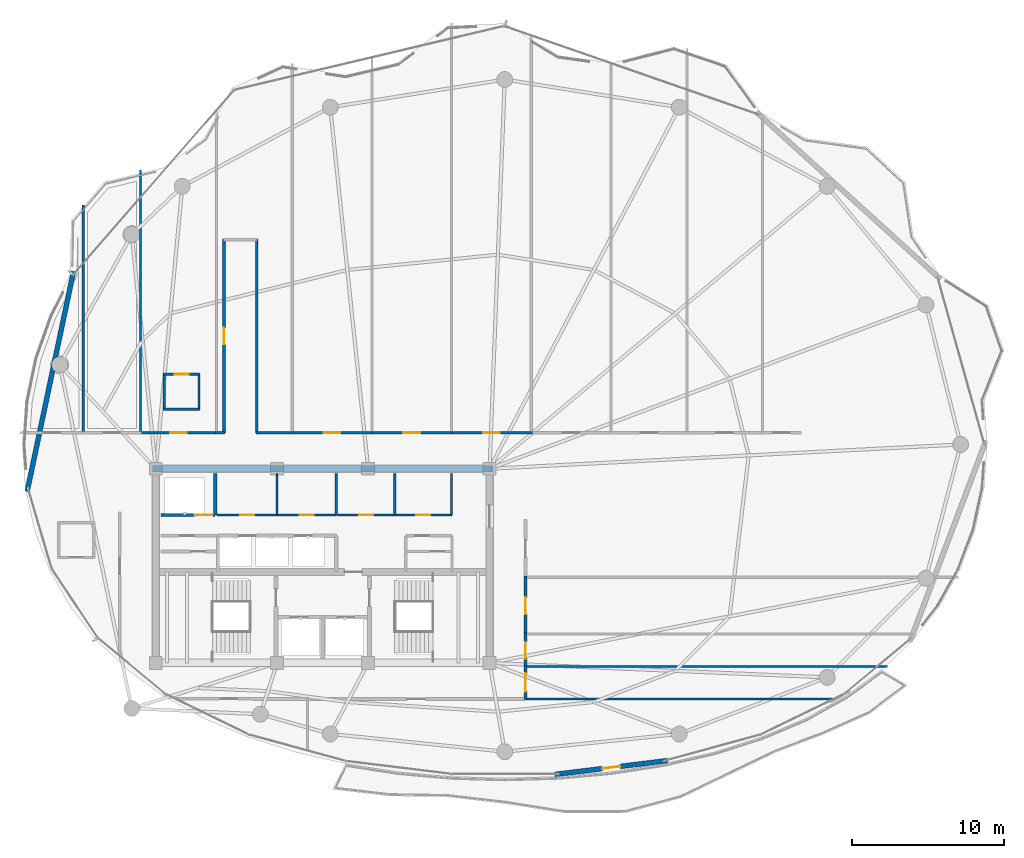
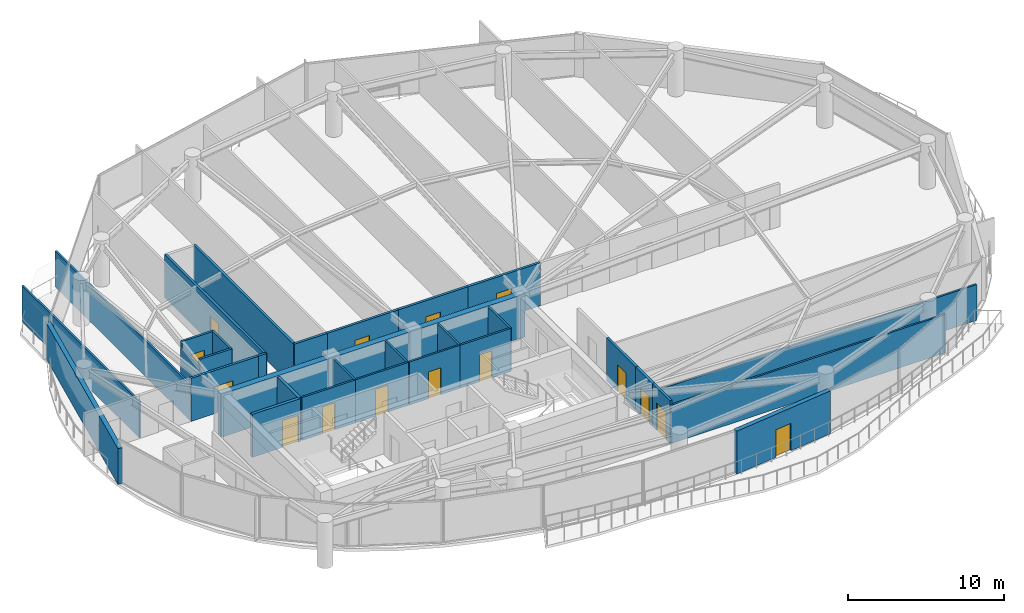
# One storey, part 24 of 29: 32 walls, 15 doors, 15 openings.
"""IFC4 building model written with IfcOpenShell, lengths in metres."""

from ifc_helpers import new_model, si_unit, direction, frame, frame_2d, origin, place, context, subcontext, project, spatial, rectangle, extrude, material, layer, layer_set, type_object, element, fill, save


model = new_model("IFC4")

# Units and contexts
model_context = context("Model", 3, precision=1e-05, world=origin(), true_north=direction((0.0, 1.0)))
body_context = subcontext(model_context, "Body", "Model", "MODEL_VIEW")
ifc_project = project(units=[si_unit("LENGTHUNIT", "METRE"), si_unit("AREAUNIT", "SQUARE_METRE"), si_unit("VOLUMEUNIT", "CUBIC_METRE"), si_unit("PLANEANGLEUNIT", "RADIAN"), si_unit("MASSUNIT", "GRAM", prefix="KILO")], contexts=[model_context])

# Site, building, storey
site_placement = place(None, origin())
site = spatial("IfcSite", under=ifc_project, at=site_placement, CompositionType="ELEMENT")
building_placement = place(site_placement, origin())
building = spatial("IfcBuilding", under=site, at=building_placement, Name="Kazevale Care Tower and Concert Hall", CompositionType="ELEMENT")
storey_placement = place(building_placement, frame((0.0, 0.0, 199.199951171875)))
storey = spatial("IfcBuildingStorey", under=building, at=storey_placement, Name="L52", CompositionType="ELEMENT", Elevation=199.199951171875)

# Wall, opening, door
ifc_material_1 = material(Name="Acoustic Gypsum on Steel Stud", Category="steel")
ifc_layer_1 = layer(ifc_material_1, 0.139892578125)
ifc_layer_set_1 = layer_set([ifc_layer_1], Name="Acoustic Gypsum on Steel Stud")
wall_type_1 = type_object("IfcWallType", Name="Acoustic Care & Suite Partition 140", PredefinedType="PARTITIONING", material=ifc_layer_set_1)
wall_1_placement = place(storey_placement, frame((26.050048828125, 33.35009765625, 0.0), z_axis=(0.0, 0.0, 1.0), x_axis=(1.0, 0.0, 0.0)))
wall_1 = element("IfcWall", 1, at=wall_1_placement, inside=storey, type_object=wall_type_1, Name="wall:L52:c_rpl1_s", PredefinedType="PARTITIONING", context=body_context, shape_type="SweptSolid", body=[
    extrude(rectangle(XDim=3.949951171875, YDim=0.139892578125, at=frame_2d((1.97509765625, 0.0))), origin(), (0.0, 0.0, 1.0), 3.360107421875),
])
opening_1_placement = place(wall_1_placement, frame((1.514892578125, 0.0, 0.0)))
opening_1 = element("IfcOpeningElement", 2, at=opening_1_placement, cuts=wall_1, Name="Opening ID-900", PredefinedType="OPENING", context=body_context, shape_type="SweptSolid", body=[
    extrude(rectangle(XDim=0.919921875, YDim=2.10009765625, at=frame_2d((0.4599609375, 1.050048828125))), frame((0.0, 0.079833984375, 0.0), z_axis=(0.0, -1.0, 0.0), x_axis=(1.0, 0.0, 0.0)), (0.0, 0.0, 1.0), 0.159912109375),
])
ifc_material_2 = material(Name="Oak Timber Fire Leaf", Category="wood")
door_type_1 = type_object("IfcDoorType", Name="Bathroom & Service Door 920x2100", OperationType="NOTDEFINED", PredefinedType="DOOR", material=ifc_material_2)
door_1_placement = place(opening_1_placement, origin())
door_1 = element("IfcDoor", 3, at=door_1_placement, inside=storey, type_object=door_type_1, Name="door:L52:d_rpl1", OperationType="SINGLE_SWING_LEFT", OverallHeight=2.10009765625, OverallWidth=0.919921875, PredefinedType="DOOR", context=body_context, shape_type="SweptSolid", body=[
    extrude(rectangle(XDim=0.919921875, YDim=2.10009765625, at=frame_2d((0.4599609375, 1.050048828125))), frame((0.0, 0.02490234375, 0.0), z_axis=(0.0, -1.0, 0.0), x_axis=(1.0, 0.0, 0.0)), (0.0, 0.0, 1.0), 0.050048828125),
])
fill(opening_1, door_1)

wall_2_placement = place(storey_placement, frame((30.0, 33.35009765625, 0.0), z_axis=(0.0, 0.0, 1.0), x_axis=(1.0, 0.0, 0.0)))
wall_2 = element("IfcWall", 4, at=wall_2_placement, inside=storey, type_object=wall_type_1, Name="wall:L52:c_rpl2_s", PredefinedType="PARTITIONING", context=body_context, shape_type="SweptSolid", body=[
    extrude(rectangle(XDim=3.919921875, YDim=0.139892578125, at=frame_2d((1.9599609375, 0.0))), origin(), (0.0, 0.0, 1.0), 3.360107421875),
])
opening_2_placement = place(wall_2_placement, frame((1.5, 0.0, 0.0)))
opening_2 = element("IfcOpeningElement", 5, at=opening_2_placement, cuts=wall_2, Name="Opening ID-900", PredefinedType="OPENING", context=body_context, shape_type="SweptSolid", body=[
    extrude(rectangle(XDim=0.919921875, YDim=2.10009765625, at=frame_2d((0.4599609375, 1.050048828125))), frame((0.0, 0.079833984375, 0.0), z_axis=(0.0, -1.0, 0.0), x_axis=(1.0, 0.0, 0.0)), (0.0, 0.0, 1.0), 0.159912109375),
])
door_2_placement = place(opening_2_placement, origin())
door_2 = element("IfcDoor", 6, at=door_2_placement, inside=storey, type_object=door_type_1, Name="door:L52:d_rpl2", OperationType="SINGLE_SWING_RIGHT", OverallHeight=2.10009765625, OverallWidth=0.919921875, PredefinedType="DOOR", context=body_context, shape_type="SweptSolid", body=[
    extrude(rectangle(XDim=0.919921875, YDim=2.10009765625, at=frame_2d((0.4599609375, 1.050048828125))), frame((0.0, 0.02490234375, 0.0), z_axis=(0.0, -1.0, 0.0), x_axis=(1.0, 0.0, 0.0)), (0.0, 0.0, 1.0), 0.050048828125),
])
fill(opening_2, door_2)

# Walls
for number, where, z_axis, x_axis, name in (
    (7, (30.0, 33.35009765625, 0.0), (0.0, 0.0, 1.0), (0.0, 1.0, 0.0), "wall:L52:c_rpl_m"),
    (8, (33.89990234375, 33.35009765625, 0.0), (0.0, 0.0, 1.0), (0.0, 1.0, 0.0), "wall:L52:c_rpl_e"),
):
    element("IfcWall", number, at=place(storey_placement, frame(where, z_axis=z_axis, x_axis=x_axis)), inside=storey, type_object=wall_type_1, Name=name, PredefinedType="PARTITIONING", context=body_context, shape_type="SweptSolid", body=[
        extrude(rectangle(XDim=2.75, YDim=0.139892578125, at=frame_2d((1.375, 0.0))), origin(), (0.0, 0.0, 1.0), 3.360107421875),
    ])

# Wall, opening, door
wall_3_placement = place(storey_placement, frame((33.97998046875, 33.35009765625, 0.0), z_axis=(0.0, 0.0, 1.0), x_axis=(1.0, 0.0, 0.0)))
wall_3 = element("IfcWall", 9, at=wall_3_placement, inside=storey, type_object=wall_type_1, Name="wall:L52:c_rpm1_s", PredefinedType="PARTITIONING", context=body_context, shape_type="SweptSolid", body=[
    extrude(rectangle(XDim=3.77001953125, YDim=0.139892578125, at=frame_2d((1.885009765625, 0.0))), origin(), (0.0, 0.0, 1.0), 3.360107421875),
])
opening_3_placement = place(wall_3_placement, frame((1.425048828125, 0.0, 0.0)))
opening_3 = element("IfcOpeningElement", 10, at=opening_3_placement, cuts=wall_3, Name="Opening ID-900", PredefinedType="OPENING", context=body_context, shape_type="SweptSolid", body=[
    extrude(rectangle(XDim=0.919921875, YDim=2.10009765625, at=frame_2d((0.4599609375, 1.050048828125))), frame((0.0, 0.079833984375, 0.0), z_axis=(0.0, -1.0, 0.0), x_axis=(1.0, 0.0, 0.0)), (0.0, 0.0, 1.0), 0.159912109375),
])
door_3_placement = place(opening_3_placement, origin())
door_3 = element("IfcDoor", 11, at=door_3_placement, inside=storey, type_object=door_type_1, Name="door:L52:d_rpm1", OperationType="SINGLE_SWING_LEFT", OverallHeight=2.10009765625, OverallWidth=0.919921875, PredefinedType="DOOR", context=body_context, shape_type="SweptSolid", body=[
    extrude(rectangle(XDim=0.919921875, YDim=2.10009765625, at=frame_2d((0.4599609375, 1.050048828125))), frame((0.0, 0.02490234375, 0.0), z_axis=(0.0, -1.0, 0.0), x_axis=(1.0, 0.0, 0.0)), (0.0, 0.0, 1.0), 0.050048828125),
])
fill(opening_3, door_3)

wall_4_placement = place(storey_placement, frame((37.75, 33.35009765625, 0.0), z_axis=(0.0, 0.0, 1.0), x_axis=(1.0, 0.0, 0.0)))
wall_4 = element("IfcWall", 12, at=wall_4_placement, inside=storey, type_object=wall_type_1, Name="wall:L52:c_rpm2_s", PredefinedType="PARTITIONING", context=body_context, shape_type="SweptSolid", body=[
    extrude(rectangle(XDim=3.77001953125, YDim=0.139892578125, at=frame_2d((1.885009765625, 0.0))), origin(), (0.0, 0.0, 1.0), 3.360107421875),
])
opening_4_placement = place(wall_4_placement, frame((1.425048828125, 0.0, 0.0)))
opening_4 = element("IfcOpeningElement", 13, at=opening_4_placement, cuts=wall_4, Name="Opening ID-900", PredefinedType="OPENING", context=body_context, shape_type="SweptSolid", body=[
    extrude(rectangle(XDim=0.919921875, YDim=2.10009765625, at=frame_2d((0.4599609375, 1.050048828125))), frame((0.0, 0.079833984375, 0.0), z_axis=(0.0, -1.0, 0.0), x_axis=(1.0, 0.0, 0.0)), (0.0, 0.0, 1.0), 0.159912109375),
])
door_4_placement = place(opening_4_placement, origin())
door_4 = element("IfcDoor", 14, at=door_4_placement, inside=storey, type_object=door_type_1, Name="door:L52:d_rpm2", OperationType="SINGLE_SWING_RIGHT", OverallHeight=2.10009765625, OverallWidth=0.919921875, PredefinedType="DOOR", context=body_context, shape_type="SweptSolid", body=[
    extrude(rectangle(XDim=0.919921875, YDim=2.10009765625, at=frame_2d((0.4599609375, 1.050048828125))), frame((0.0, 0.02490234375, 0.0), z_axis=(0.0, -1.0, 0.0), x_axis=(1.0, 0.0, 0.0)), (0.0, 0.0, 1.0), 0.050048828125),
])
fill(opening_4, door_4)

# Walls
for number, where, z_axis, x_axis, name in (
    (15, (37.75, 33.35009765625, 0.0), (0.0, 0.0, 1.0), (0.0, 1.0, 0.0), "wall:L52:c_rpm_m"),
    (16, (41.5, 33.35009765625, 0.0), (0.0, 0.0, 1.0), (0.0, 1.0, 0.0), "wall:L52:c_rpm_e"),
):
    element("IfcWall", number, at=place(storey_placement, frame(where, z_axis=z_axis, x_axis=x_axis)), inside=storey, type_object=wall_type_1, Name=name, PredefinedType="PARTITIONING", context=body_context, shape_type="SweptSolid", body=[
        extrude(rectangle(XDim=2.75, YDim=0.139892578125, at=frame_2d((1.375, 0.0))), origin(), (0.0, 0.0, 1.0), 3.360107421875),
    ])
wall_5_placement = place(storey_placement, frame((17.219970703125, 53.7919921875, 0.0), z_axis=(0.0, 0.0, 1.0), x_axis=(0.0, -1.0, 0.0)))
element("IfcWall", 17, at=wall_5_placement, inside=storey, type_object=wall_type_1, Name="wall:L52:auto_023", PredefinedType="PARTITIONING", context=body_context, shape_type="SweptSolid", body=[
    extrude(rectangle(XDim=15.046875, YDim=0.139892578125, at=frame_2d((7.5234375, 0.0))), origin(), (0.0, 0.0, 1.0), 2.817138671875),
])
wall_6_placement = place(storey_placement, frame((21.0, 56.072998046875, 0.0), z_axis=(0.0, 0.0, 1.0), x_axis=(0.0, -1.0, 0.0)))
element("IfcWall", 18, at=wall_6_placement, inside=storey, type_object=wall_type_1, Name="wall:L52:auto_024", PredefinedType="PARTITIONING", context=body_context, shape_type="SweptSolid", body=[
    extrude(rectangle(XDim=17.327880859375, YDim=0.139892578125, at=frame_2d((8.6640625, 0.0))), origin(), (0.0, 0.0, 1.0), 2.80615234375),
])
wall_7_placement = place(storey_placement, frame((46.344970703125, 23.360107421875, 0.0), z_axis=(0.0, 0.0, 1.0), x_axis=(1.0, 0.0, 0.0)))
element("IfcWall", 19, at=wall_7_placement, inside=storey, type_object=wall_type_1, Name="wall:L52:auto_033", PredefinedType="PARTITIONING", context=body_context, shape_type="SweptSolid", body=[
    extrude(rectangle(XDim=23.8701171875, YDim=0.139892578125, at=frame_2d((11.93505859375, 0.0))), origin(), (0.0, 0.0, 1.0), 2.80615234375),
])
wall_8_placement = place(storey_placement, frame((66.683837890625, 21.22509765625, 0.0), z_axis=(0.0, 0.0, 1.0), x_axis=(-1.0, 0.0, 0.0)))
element("IfcWall", 20, at=wall_8_placement, inside=storey, type_object=wall_type_1, Name="wall:L52:auto_034", PredefinedType="PARTITIONING", context=body_context, shape_type="SweptSolid", body=[
    extrude(rectangle(XDim=20.3388671875, YDim=0.139892578125, at=frame_2d((10.16943359375, 0.0))), origin(), (0.0, 0.0, 1.0), 2.99609375),
])
ifc_material_3 = material(Name="Concrete C50", Category="concrete")
ifc_layer_2 = layer(ifc_material_3, 0.449951171875)
ifc_layer_set_2 = layer_set([ifc_layer_2], Name="Concrete C50")
wall_type_2 = type_object("IfcWallType", Name="Core Shear Wall 450 C50", PredefinedType="SHEAR", material=ifc_layer_set_2)
wall_9_placement = place(storey_placement, frame((21.77490234375, 36.39990234375, 0.0), z_axis=(0.0, 0.0, 1.0), x_axis=(1.0, 0.0, 0.0)))
element("IfcWall", 21, at=wall_9_placement, inside=storey, type_object=wall_type_2, Name="wall:L52:core:N", PredefinedType="SHEAR", context=body_context, shape_type="SweptSolid", body=[
    extrude(rectangle(XDim=22.4501953125, YDim=0.449951171875, at=frame_2d((11.22509765625, 0.0))), origin(), (0.0, 0.0, 1.0), 3.360107421875),
])
ifc_material_4 = material(Name="Concrete C40", Category="concrete")
ifc_layer_3 = layer(ifc_material_4, 0.219970703125)
ifc_layer_set_3 = layer_set([ifc_layer_3], Name="Concrete C40")
wall_type_3 = type_object("IfcWallType", Name="Elevator Hoistway Shaft Wall 220", PredefinedType="SOLIDWALL", material=ifc_layer_set_3)
wall_10_placement = place(storey_placement, frame((25.919921875, 33.35009765625, 0.0), z_axis=(0.0, 0.0, 1.0), x_axis=(0.0, 1.0, 0.0)))
element("IfcWall", 22, at=wall_10_placement, inside=storey, type_object=wall_type_3, Name="wall:L52:c_svl_e", PredefinedType="SOLIDWALL", context=body_context, shape_type="SweptSolid", body=[
    extrude(rectangle(XDim=2.72998046875, YDim=0.219970703125, at=frame_2d((1.364990234375, 0.0))), origin(), (0.0, 0.0, 1.0), 3.360107421875),
])

# Wall, opening, door
wall_11_placement = place(storey_placement, frame((22.35009765625, 33.35009765625, 0.0), z_axis=(0.0, 0.0, 1.0), x_axis=(1.0, 0.0, 0.0)))
wall_11 = element("IfcWall", 23, at=wall_11_placement, inside=storey, type_object=wall_type_3, Name="wall:L52:c_svl_s", PredefinedType="SOLIDWALL", context=body_context, shape_type="SweptSolid", body=[
    extrude(rectangle(XDim=3.56982421875, YDim=0.219970703125, at=frame_2d((1.784912109375, 0.0))), origin(), (0.0, 0.0, 1.0), 3.360107421875),
])
opening_5_placement = place(wall_11_placement, frame((2.212890625, 0.0, 0.0)))
opening_5 = element("IfcOpeningElement", 24, at=opening_5_placement, cuts=wall_11, Name="Opening LD-SV", PredefinedType="OPENING", context=body_context, shape_type="SweptSolid", body=[
    extrude(rectangle(XDim=1.199951171875, YDim=2.10009765625, at=frame_2d((0.60009765625, 1.050048828125))), frame((0.0, 0.119873046875, 0.0), z_axis=(0.0, -1.0, 0.0), x_axis=(1.0, 0.0, 0.0)), (0.0, 0.0, 1.0), 0.239990234375),
])
ifc_material_5 = material(Name="Stainless Steel 316", Category="steel")
door_type_2 = type_object("IfcDoorType", Name="Service Lift Sliding Landing Door 1200x2100", OperationType="NOTDEFINED", PredefinedType="DOOR", material=ifc_material_5)
door_5_placement = place(opening_5_placement, origin())
door_5 = element("IfcDoor", 25, at=door_5_placement, inside=storey, type_object=door_type_2, Name="door:L52:ld_svl1", OperationType="SLIDING_TO_LEFT", OverallHeight=2.10009765625, OverallWidth=1.199951171875, PredefinedType="DOOR", context=body_context, shape_type="SweptSolid", body=[
    extrude(rectangle(XDim=1.199951171875, YDim=2.10009765625, at=frame_2d((0.60009765625, 1.050048828125))), frame((0.0, 0.02490234375, 0.0), z_axis=(0.0, -1.0, 0.0), x_axis=(1.0, 0.0, 0.0)), (0.0, 0.0, 1.0), 0.050048828125),
])
fill(opening_5, door_5)

ifc_material_6 = material(Name="Concrete C40 and Acoustic Gypsum", Category="concrete")
ifc_layer_4 = layer(ifc_material_6, 0.179931640625)
ifc_layer_set_4 = layer_set([ifc_layer_4], Name="Concrete C40 and Acoustic Gypsum")
wall_type_4 = type_object("IfcWallType", Name="Fire-Rated Corridor & Party Wall 180", PredefinedType="PARTITIONING", material=ifc_layer_set_4)
wall_12_placement = place(storey_placement, frame((20.93505859375, 38.77490234375, 0.0), z_axis=(0.0, 0.0, 1.0), x_axis=(1.0, 0.0, 0.0)))
wall_12 = element("IfcWall", 26, at=wall_12_placement, inside=storey, type_object=wall_type_4, Name="wall:L52:auto_003", PredefinedType="PARTITIONING", context=body_context, shape_type="SweptSolid", body=[
    extrude(rectangle(XDim=5.1298828125, YDim=0.179931640625, at=frame_2d((2.56494140625, 0.0))), origin(), (0.0, 0.0, 1.0), 3.360107421875),
])
opening_6_placement = place(wall_12_placement, frame((2.014892578125, 0.0, 0.0)))
opening_6 = element("IfcOpeningElement", 27, at=opening_6_placement, cuts=wall_12, Name="Opening ID-1100", PredefinedType="OPENING", context=body_context, shape_type="SweptSolid", body=[
    extrude(rectangle(XDim=1.10009765625, YDim=2.10009765625, at=frame_2d((0.550048828125, 1.050048828125))), frame((0.0, 0.099853515625, 0.0), z_axis=(0.0, -1.0, 0.0), x_axis=(1.0, 0.0, 0.0)), (0.0, 0.0, 1.0), 0.199951171875),
])
door_type_3 = type_object("IfcDoorType", Name="Care Bedroom Accessible Door 1100x2100", OperationType="NOTDEFINED", PredefinedType="DOOR", material=ifc_material_2)
door_6_placement = place(opening_6_placement, origin())
door_6 = element("IfcDoor", 28, at=door_6_placement, inside=storey, type_object=door_type_3, Name="door:L52:ad_003", OperationType="SINGLE_SWING_LEFT", OverallHeight=2.10009765625, OverallWidth=1.10009765625, PredefinedType="DOOR", context=body_context, shape_type="SweptSolid", body=[
    extrude(rectangle(XDim=1.10009765625, YDim=2.10009765625, at=frame_2d((0.550048828125, 1.050048828125))), frame((0.0, 0.02490234375, 0.0), z_axis=(0.0, -1.0, 0.0), x_axis=(1.0, 0.0, 0.0)), (0.0, 0.0, 1.0), 0.050048828125),
])
fill(opening_6, door_6)

wall_13_placement = place(storey_placement, frame((26.5, 38.7451171875, 0.0), z_axis=(0.0, 0.0, 1.0), x_axis=(0.0, 1.0, 0.0)))
wall_13 = element("IfcWall", 29, at=wall_13_placement, inside=storey, type_object=wall_type_4, Name="wall:L52:auto_004", PredefinedType="PARTITIONING", context=body_context, shape_type="SweptSolid", body=[
    extrude(rectangle(XDim=12.784912109375, YDim=0.179931640625, at=frame_2d((6.392578125, 0.0))), origin(), (0.0, 0.0, 1.0), 3.360107421875),
])
opening_7_placement = place(wall_13_placement, frame((5.843017578125, 0.0, 0.0)))
opening_7 = element("IfcOpeningElement", 30, at=opening_7_placement, cuts=wall_13, Name="Opening ID-1100", PredefinedType="OPENING", context=body_context, shape_type="SweptSolid", body=[
    extrude(rectangle(XDim=1.10009765625, YDim=2.10009765625, at=frame_2d((0.550048828125, 1.050048828125))), frame((0.0, 0.099853515625, 0.0), z_axis=(0.0, -1.0, 0.0), x_axis=(1.0, 0.0, 0.0)), (0.0, 0.0, 1.0), 0.199951171875),
])
door_7_placement = place(opening_7_placement, origin())
door_7 = element("IfcDoor", 31, at=door_7_placement, inside=storey, type_object=door_type_3, Name="door:L52:ad_004", OperationType="SINGLE_SWING_LEFT", OverallHeight=2.10009765625, OverallWidth=1.10009765625, PredefinedType="DOOR", context=body_context, shape_type="SweptSolid", body=[
    extrude(rectangle(XDim=1.10009765625, YDim=2.10009765625, at=frame_2d((0.550048828125, 1.050048828125))), frame((0.0, 0.02490234375, 0.0), z_axis=(0.0, -1.0, 0.0), x_axis=(1.0, 0.0, 0.0)), (0.0, 0.0, 1.0), 0.050048828125),
])
fill(opening_7, door_7)

# Walls
wall_14_placement = place(storey_placement, frame((28.64990234375, 51.530029296875, 0.0), z_axis=(0.0, 0.0, 1.0), x_axis=(0.0, -1.0, 0.0)))
element("IfcWall", 32, at=wall_14_placement, inside=storey, type_object=wall_type_4, Name="wall:L52:auto_005", PredefinedType="PARTITIONING", context=body_context, shape_type="SweptSolid", body=[
    extrude(rectangle(XDim=12.784912109375, YDim=0.179931640625, at=frame_2d((6.392578125, 0.0))), origin(), (0.0, 0.0, 1.0), 3.360107421875),
])
wall_15_placement = place(storey_placement, frame((28.6201171875, 38.77490234375, 0.0), z_axis=(0.0, 0.0, 1.0), x_axis=(1.0, 0.0, 0.0)))
element("IfcWall", 33, at=wall_15_placement, inside=storey, type_object=wall_type_4, Name="wall:L52:auto_006", PredefinedType="PARTITIONING", context=body_context, shape_type="SweptSolid", body=[
    extrude(rectangle(XDim=2.44482421875, YDim=0.179931640625, at=frame_2d((1.222412109375, 0.0))), origin(), (0.0, 0.0, 1.0), 3.360107421875),
])
wall_16_placement = place(storey_placement, frame((25.93505859375, 38.77490234375, 0.0), z_axis=(0.0, 0.0, 1.0), x_axis=(1.0, 0.0, 0.0)))
element("IfcWall", 34, at=wall_16_placement, inside=storey, type_object=wall_type_4, Name="wall:L52:auto_008", PredefinedType="PARTITIONING", context=body_context, shape_type="SweptSolid", body=[
    extrude(rectangle(XDim=0.594970703125, YDim=0.179931640625, at=frame_2d((0.29736328125, 0.0))), origin(), (0.0, 0.0, 1.0), 3.360107421875),
])

# Wall, opening, door
wall_17_placement = place(storey_placement, frame((30.93505859375, 38.77490234375, 0.0), z_axis=(0.0, 0.0, 1.0), x_axis=(1.0, 0.0, 0.0)))
wall_17 = element("IfcWall", 35, at=wall_17_placement, inside=storey, type_object=wall_type_4, Name="wall:L52:auto_009", PredefinedType="PARTITIONING", context=body_context, shape_type="SweptSolid", body=[
    extrude(rectangle(XDim=5.3798828125, YDim=0.179931640625, at=frame_2d((2.68994140625, 0.0))), origin(), (0.0, 0.0, 1.0), 3.360107421875),
])
opening_8_placement = place(wall_17_placement, frame((2.139892578125, 0.0, 0.0)))
opening_8 = element("IfcOpeningElement", 36, at=opening_8_placement, cuts=wall_17, Name="Opening ID-1100", PredefinedType="OPENING", context=body_context, shape_type="SweptSolid", body=[
    extrude(rectangle(XDim=1.10009765625, YDim=2.10009765625, at=frame_2d((0.550048828125, 1.050048828125))), frame((0.0, 0.099853515625, 0.0), z_axis=(0.0, -1.0, 0.0), x_axis=(1.0, 0.0, 0.0)), (0.0, 0.0, 1.0), 0.199951171875),
])
door_8_placement = place(opening_8_placement, origin())
door_8 = element("IfcDoor", 37, at=door_8_placement, inside=storey, type_object=door_type_3, Name="door:L52:ad_009", OperationType="SINGLE_SWING_LEFT", OverallHeight=2.10009765625, OverallWidth=1.10009765625, PredefinedType="DOOR", context=body_context, shape_type="SweptSolid", body=[
    extrude(rectangle(XDim=1.10009765625, YDim=2.10009765625, at=frame_2d((0.550048828125, 1.050048828125))), frame((0.0, 0.02490234375, 0.0), z_axis=(0.0, -1.0, 0.0), x_axis=(1.0, 0.0, 0.0)), (0.0, 0.0, 1.0), 0.050048828125),
])
fill(opening_8, door_8)

wall_18_placement = place(storey_placement, frame((36.18505859375, 38.77490234375, 0.0), z_axis=(0.0, 0.0, 1.0), x_axis=(1.0, 0.0, 0.0)))
wall_18 = element("IfcWall", 38, at=wall_18_placement, inside=storey, type_object=wall_type_4, Name="wall:L52:auto_010", PredefinedType="PARTITIONING", context=body_context, shape_type="SweptSolid", body=[
    extrude(rectangle(XDim=5.3798828125, YDim=0.179931640625, at=frame_2d((2.68994140625, 0.0))), origin(), (0.0, 0.0, 1.0), 3.360107421875),
])
opening_9_placement = place(wall_18_placement, frame((2.139892578125, 0.0, 0.0)))
opening_9 = element("IfcOpeningElement", 39, at=opening_9_placement, cuts=wall_18, Name="Opening ID-1100", PredefinedType="OPENING", context=body_context, shape_type="SweptSolid", body=[
    extrude(rectangle(XDim=1.10009765625, YDim=2.10009765625, at=frame_2d((0.550048828125, 1.050048828125))), frame((0.0, 0.099853515625, 0.0), z_axis=(0.0, -1.0, 0.0), x_axis=(1.0, 0.0, 0.0)), (0.0, 0.0, 1.0), 0.199951171875),
])
door_9_placement = place(opening_9_placement, origin())
door_9 = element("IfcDoor", 40, at=door_9_placement, inside=storey, type_object=door_type_3, Name="door:L52:ad_010", OperationType="SINGLE_SWING_LEFT", OverallHeight=2.10009765625, OverallWidth=1.10009765625, PredefinedType="DOOR", context=body_context, shape_type="SweptSolid", body=[
    extrude(rectangle(XDim=1.10009765625, YDim=2.10009765625, at=frame_2d((0.550048828125, 1.050048828125))), frame((0.0, 0.02490234375, 0.0), z_axis=(0.0, -1.0, 0.0), x_axis=(1.0, 0.0, 0.0)), (0.0, 0.0, 1.0), 0.050048828125),
])
fill(opening_9, door_9)

wall_19_placement = place(storey_placement, frame((41.43505859375, 38.77490234375, 0.0), z_axis=(0.0, 0.0, 1.0), x_axis=(1.0, 0.0, 0.0)))
wall_19 = element("IfcWall", 41, at=wall_19_placement, inside=storey, type_object=wall_type_4, Name="wall:L52:auto_011", PredefinedType="PARTITIONING", context=body_context, shape_type="SweptSolid", body=[
    extrude(rectangle(XDim=5.3798828125, YDim=0.179931640625, at=frame_2d((2.68994140625, 0.0))), origin(), (0.0, 0.0, 1.0), 3.360107421875),
])
opening_10_placement = place(wall_19_placement, frame((2.139892578125, 0.0, 0.0)))
opening_10 = element("IfcOpeningElement", 42, at=opening_10_placement, cuts=wall_19, Name="Opening ID-1100", PredefinedType="OPENING", context=body_context, shape_type="SweptSolid", body=[
    extrude(rectangle(XDim=1.10009765625, YDim=2.10009765625, at=frame_2d((0.550048828125, 1.050048828125))), frame((0.0, 0.099853515625, 0.0), z_axis=(0.0, -1.0, 0.0), x_axis=(1.0, 0.0, 0.0)), (0.0, 0.0, 1.0), 0.199951171875),
])
door_10_placement = place(opening_10_placement, origin())
door_10 = element("IfcDoor", 43, at=door_10_placement, inside=storey, type_object=door_type_3, Name="door:L52:ad_011", OperationType="SINGLE_SWING_LEFT", OverallHeight=2.10009765625, OverallWidth=1.10009765625, PredefinedType="DOOR", context=body_context, shape_type="SweptSolid", body=[
    extrude(rectangle(XDim=1.10009765625, YDim=2.10009765625, at=frame_2d((0.550048828125, 1.050048828125))), frame((0.0, 0.02490234375, 0.0), z_axis=(0.0, -1.0, 0.0), x_axis=(1.0, 0.0, 0.0)), (0.0, 0.0, 1.0), 0.050048828125),
])
fill(opening_10, door_10)

wall_20_placement = place(storey_placement, frame((46.375, 23.425048828125, 0.0), z_axis=(0.0, 0.0, 1.0), x_axis=(0.0, -1.0, 0.0)))
wall_20 = element("IfcWall", 44, at=wall_20_placement, inside=storey, type_object=wall_type_4, Name="wall:L52:auto_016", PredefinedType="PARTITIONING", context=body_context, shape_type="SweptSolid", body=[
    extrude(rectangle(XDim=2.22998046875, YDim=0.179931640625, at=frame_2d((1.114990234375, 0.0))), origin(), (0.0, 0.0, 1.0), 3.360107421875),
])
opening_11_placement = place(wall_20_placement, frame((0.514892578125, 0.0, 0.0)))
opening_11 = element("IfcOpeningElement", 45, at=opening_11_placement, cuts=wall_20, Name="Opening ID-1200", PredefinedType="OPENING", context=body_context, shape_type="SweptSolid", body=[
    extrude(rectangle(XDim=1.199951171875, YDim=2.14990234375, at=frame_2d((0.60009765625, 1.074951171875))), frame((0.0, 0.099853515625, 0.0), z_axis=(0.0, -1.0, 0.0), x_axis=(1.0, 0.0, 0.0)), (0.0, 0.0, 1.0), 0.199951171875),
])
door_type_4 = type_object("IfcDoorType", Name="Clinical & Therapy Door 1200x2150", OperationType="NOTDEFINED", PredefinedType="DOOR", material=ifc_material_2)
door_11_placement = place(opening_11_placement, origin())
door_11 = element("IfcDoor", 46, at=door_11_placement, inside=storey, type_object=door_type_4, Name="door:L52:ad_016", OperationType="SINGLE_SWING_LEFT", OverallHeight=2.14990234375, OverallWidth=1.199951171875, PredefinedType="DOOR", context=body_context, shape_type="SweptSolid", body=[
    extrude(rectangle(XDim=1.199951171875, YDim=2.14990234375, at=frame_2d((0.60009765625, 1.074951171875))), frame((0.0, 0.02490234375, 0.0), z_axis=(0.0, -1.0, 0.0), x_axis=(1.0, 0.0, 0.0)), (0.0, 0.0, 1.0), 0.050048828125),
])
fill(opening_11, door_11)

wall_21_placement = place(storey_placement, frame((46.375, 25.56494140625, 0.0), z_axis=(0.0, 0.0, 1.0), x_axis=(0.0, -1.0, 0.0)))
wall_21 = element("IfcWall", 47, at=wall_21_placement, inside=storey, type_object=wall_type_4, Name="wall:L52:auto_017", PredefinedType="PARTITIONING", context=body_context, shape_type="SweptSolid", body=[
    extrude(rectangle(XDim=2.27001953125, YDim=0.179931640625, at=frame_2d((1.135009765625, 0.0))), origin(), (0.0, 0.0, 1.0), 3.360107421875),
])
opening_12_placement = place(wall_21_placement, frame((0.5849609375, 0.0, 0.0)))
opening_12 = element("IfcOpeningElement", 48, at=opening_12_placement, cuts=wall_21, Name="Opening ID-1100", PredefinedType="OPENING", context=body_context, shape_type="SweptSolid", body=[
    extrude(rectangle(XDim=1.10009765625, YDim=2.10009765625, at=frame_2d((0.550048828125, 1.050048828125))), frame((0.0, 0.099853515625, 0.0), z_axis=(0.0, -1.0, 0.0), x_axis=(1.0, 0.0, 0.0)), (0.0, 0.0, 1.0), 0.199951171875),
])
door_12_placement = place(opening_12_placement, origin())
door_12 = element("IfcDoor", 49, at=door_12_placement, inside=storey, type_object=door_type_3, Name="door:L52:ad_017", OperationType="SINGLE_SWING_LEFT", OverallHeight=2.10009765625, OverallWidth=1.10009765625, PredefinedType="DOOR", context=body_context, shape_type="SweptSolid", body=[
    extrude(rectangle(XDim=1.10009765625, YDim=2.10009765625, at=frame_2d((0.550048828125, 1.050048828125))), frame((0.0, 0.02490234375, 0.0), z_axis=(0.0, -1.0, 0.0), x_axis=(1.0, 0.0, 0.0)), (0.0, 0.0, 1.0), 0.050048828125),
])
fill(opening_12, door_12)

wall_22_placement = place(storey_placement, frame((46.375, 29.31494140625, 0.0), z_axis=(0.0, 0.0, 1.0), x_axis=(0.0, -1.0, 0.0)))
wall_22 = element("IfcWall", 50, at=wall_22_placement, inside=storey, type_object=wall_type_4, Name="wall:L52:auto_018", PredefinedType="PARTITIONING", context=body_context, shape_type="SweptSolid", body=[
    extrude(rectangle(XDim=3.8798828125, YDim=0.179931640625, at=frame_2d((1.93994140625, 0.0))), origin(), (0.0, 0.0, 1.0), 3.360107421875),
])
opening_13_placement = place(wall_22_placement, frame((1.389892578125, 0.0, 0.0)))
opening_13 = element("IfcOpeningElement", 51, at=opening_13_placement, cuts=wall_22, Name="Opening ID-1100", PredefinedType="OPENING", context=body_context, shape_type="SweptSolid", body=[
    extrude(rectangle(XDim=1.10009765625, YDim=2.10009765625, at=frame_2d((0.550048828125, 1.050048828125))), frame((0.0, 0.099853515625, 0.0), z_axis=(0.0, -1.0, 0.0), x_axis=(1.0, 0.0, 0.0)), (0.0, 0.0, 1.0), 0.199951171875),
])
door_13_placement = place(opening_13_placement, origin())
door_13 = element("IfcDoor", 52, at=door_13_placement, inside=storey, type_object=door_type_3, Name="door:L52:ad_018", OperationType="SINGLE_SWING_LEFT", OverallHeight=2.10009765625, OverallWidth=1.10009765625, PredefinedType="DOOR", context=body_context, shape_type="SweptSolid", body=[
    extrude(rectangle(XDim=1.10009765625, YDim=2.10009765625, at=frame_2d((0.550048828125, 1.050048828125))), frame((0.0, 0.02490234375, 0.0), z_axis=(0.0, -1.0, 0.0), x_axis=(1.0, 0.0, 0.0)), (0.0, 0.0, 1.0), 0.050048828125),
])
fill(opening_13, door_13)

# Wall
ifc_layer_5 = layer(ifc_material_1, 0.159912109375)
ifc_layer_set_5 = layer_set([ifc_layer_5], Name="Acoustic Gypsum on Steel Stud")
wall_type_5 = type_object("IfcWallType", Name="Moisture-Resistant Bathroom Plumbing Wall 160", PredefinedType="PLUMBINGWALL", material=ifc_layer_set_5)
wall_23_placement = place(storey_placement, frame((22.510009765625, 40.324951171875, 0.0), z_axis=(0.0, 0.0, 1.0), x_axis=(1.0, 0.0, 0.0)))
element("IfcWall", 53, at=wall_23_placement, inside=storey, type_object=wall_type_5, Name="wall:L52:nb2a_ens_ws", PredefinedType="PLUMBINGWALL", context=body_context, shape_type="SweptSolid", body=[
    extrude(rectangle(XDim=2.3798828125, YDim=0.159912109375, at=frame_2d((1.18994140625, 0.0))), origin(), (0.0, 0.0, 1.0), 3.360107421875),
])

# Wall, opening, door
wall_24_placement = place(storey_placement, frame((22.510009765625, 42.625, 0.0), z_axis=(0.0, 0.0, 1.0), x_axis=(1.0, 0.0, 0.0)))
wall_24 = element("IfcWall", 54, at=wall_24_placement, inside=storey, type_object=wall_type_5, Name="wall:L52:nb2a_ens_wn", PredefinedType="PLUMBINGWALL", context=body_context, shape_type="SweptSolid", body=[
    extrude(rectangle(XDim=2.3798828125, YDim=0.159912109375, at=frame_2d((1.18994140625, 0.0))), origin(), (0.0, 0.0, 1.0), 3.360107421875),
])
opening_14_placement = place(wall_24_placement, frame((0.739990234375, 0.0, 0.0)))
opening_14 = element("IfcOpeningElement", 55, at=opening_14_placement, cuts=wall_24, Name="Opening ID-900", PredefinedType="OPENING", context=body_context, shape_type="SweptSolid", body=[
    extrude(rectangle(XDim=0.919921875, YDim=2.10009765625, at=frame_2d((0.4599609375, 1.050048828125))), frame((0.0, 0.08984375, 0.0), z_axis=(0.0, -1.0, 0.0), x_axis=(1.0, 0.0, 0.0)), (0.0, 0.0, 1.0), 0.179931640625),
])
door_14_placement = place(opening_14_placement, origin())
door_14 = element("IfcDoor", 56, at=door_14_placement, inside=storey, type_object=door_type_1, Name="door:L52:nb2a_ens_d", OperationType="SINGLE_SWING_RIGHT", OverallHeight=2.10009765625, OverallWidth=0.919921875, PredefinedType="DOOR", context=body_context, shape_type="SweptSolid", body=[
    extrude(rectangle(XDim=0.919921875, YDim=2.10009765625, at=frame_2d((0.4599609375, 1.050048828125))), frame((0.0, 0.02490234375, 0.0), z_axis=(0.0, -1.0, 0.0), x_axis=(1.0, 0.0, 0.0)), (0.0, 0.0, 1.0), 0.050048828125),
])
fill(opening_14, door_14)

# Walls
wall_25_placement = place(storey_placement, frame((22.550048828125, 40.284912109375, 0.0), z_axis=(0.0, 0.0, 1.0), x_axis=(0.0, 1.0, 0.0)))
element("IfcWall", 57, at=wall_25_placement, inside=storey, type_object=wall_type_5, Name="wall:L52:nb2a_ens_ww", PredefinedType="PLUMBINGWALL", context=body_context, shape_type="SweptSolid", body=[
    extrude(rectangle(XDim=2.380126953125, YDim=0.159912109375, at=frame_2d((1.18994140625, 0.0))), origin(), (0.0, 0.0, 1.0), 2.80615234375),
])
wall_26_placement = place(storey_placement, frame((24.85009765625, 40.284912109375, 0.0), z_axis=(0.0, 0.0, 1.0), x_axis=(0.0, 1.0, 0.0)))
element("IfcWall", 58, at=wall_26_placement, inside=storey, type_object=wall_type_5, Name="wall:L52:nb2a_ens_we", PredefinedType="PLUMBINGWALL", context=body_context, shape_type="SweptSolid", body=[
    extrude(rectangle(XDim=2.380126953125, YDim=0.159912109375, at=frame_2d((1.18994140625, 0.0))), origin(), (0.0, 0.0, 1.0), 3.360107421875),
])

# Wall, opening, door
ifc_material_7 = material(Name="Concrete C40 with Honed Limestone Cladding", Category="masonry")
ifc_layer_6 = layer(ifc_material_7, 0.320068359375)
ifc_layer_set_6 = layer_set([ifc_layer_6], Name="Concrete C40 with Honed Limestone Cladding")
wall_type_6 = type_object("IfcWallType", Name="Tower Honed Limestone Spandrel Wall 320", PredefinedType="STANDARD", material=ifc_layer_set_6)
wall_27_placement = place(storey_placement, frame((55.72705078125, 17.1650390625, 0.0), z_axis=(0.0, 0.0, 1.0), x_axis=(-0.992559081031, -0.121763995755, 0.0)))
wall_27 = element("IfcWall", 59, at=wall_27_placement, inside=storey, type_object=wall_type_6, Name="wall:L52:bal_host", PredefinedType="STANDARD", context=body_context, shape_type="SweptSolid", body=[
    extrude(rectangle(XDim=7.49072265625, YDim=0.320068359375, at=frame_2d((3.745361328125, 0.0))), origin(), (0.0, 0.0, 1.0), 3.360107421875),
])
opening_15_placement = place(wall_27_placement, frame((3.14501953125, 0.0, 0.0)))
opening_15 = element("IfcOpeningElement", 60, at=opening_15_placement, cuts=wall_27, Name="Opening BD-1200", PredefinedType="OPENING", context=body_context, shape_type="SweptSolid", body=[
    extrude(rectangle(XDim=1.199951171875, YDim=2.14990234375, at=frame_2d((0.60009765625, 1.074951171875))), frame((0.0, 0.169921875, 0.0), z_axis=(0.0, -1.0, 0.0), x_axis=(1.0, 0.0, 0.0)), (0.0, 0.0, 1.0), 0.340087890625),
])
ifc_material_8 = material(Name="Aluminium 6063-T6 and Low-E Glass", Category="aluminium")
door_type_5 = type_object("IfcDoorType", Name="Sheltered Balcony Glazed Door 1200x2150", OperationType="NOTDEFINED", PredefinedType="DOOR", material=ifc_material_8)
door_15_placement = place(opening_15_placement, origin())
door_15 = element("IfcDoor", 61, at=door_15_placement, inside=storey, type_object=door_type_5, Name="door:L52:BD-1", OperationType="SINGLE_SWING_LEFT", OverallHeight=2.14990234375, OverallWidth=1.199951171875, PredefinedType="DOOR", context=body_context, shape_type="SweptSolid", body=[
    extrude(rectangle(XDim=1.199951171875, YDim=2.14990234375, at=frame_2d((0.60009765625, 1.074951171875))), frame((0.0, 0.02490234375, 0.0), z_axis=(0.0, -1.0, 0.0), x_axis=(1.0, 0.0, 0.0)), (0.0, 0.0, 1.0), 0.050048828125),
])
fill(opening_15, door_15)

# Wall
wall_28_placement = place(storey_placement, frame((13.52490234375, 34.903076171875, 0.0), z_axis=(0.0, 0.0, 1.0), x_axis=(0.206301080321, 0.978488561128, 0.0)))
element("IfcWall", 62, at=wall_28_placement, inside=storey, type_object=wall_type_6, Name="wall:cw:L52:f13", PredefinedType="STANDARD", context=body_context, shape_type="SweptSolid", body=[
    extrude(rectangle(XDim=14.81884765625, YDim=0.320068359375, at=frame_2d((7.409423828125, 0.0))), origin(), (0.0, 0.0, 1.0), 2.80615234375),
])

save(model, "model.ifc")
